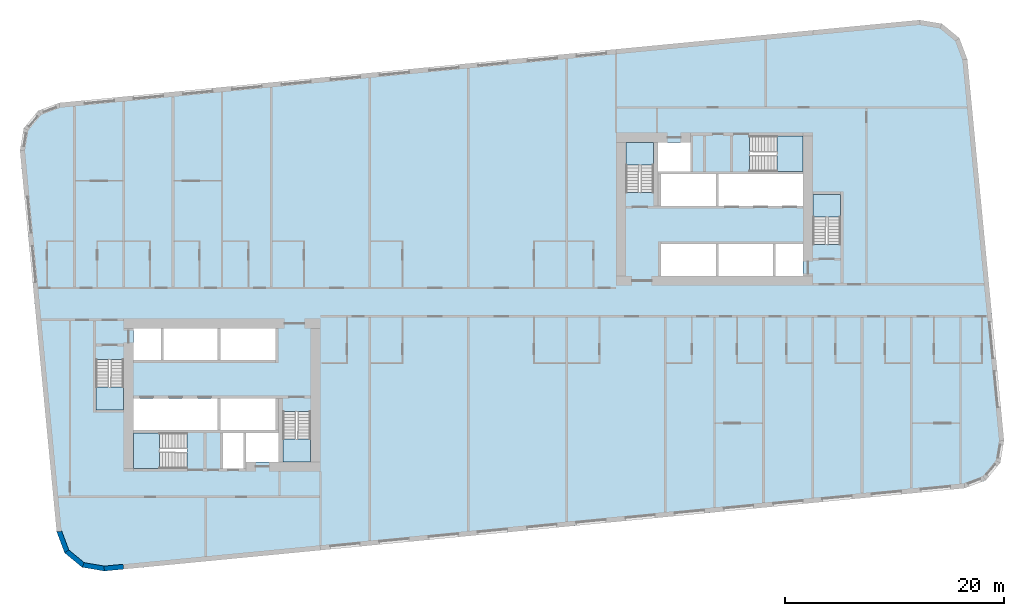
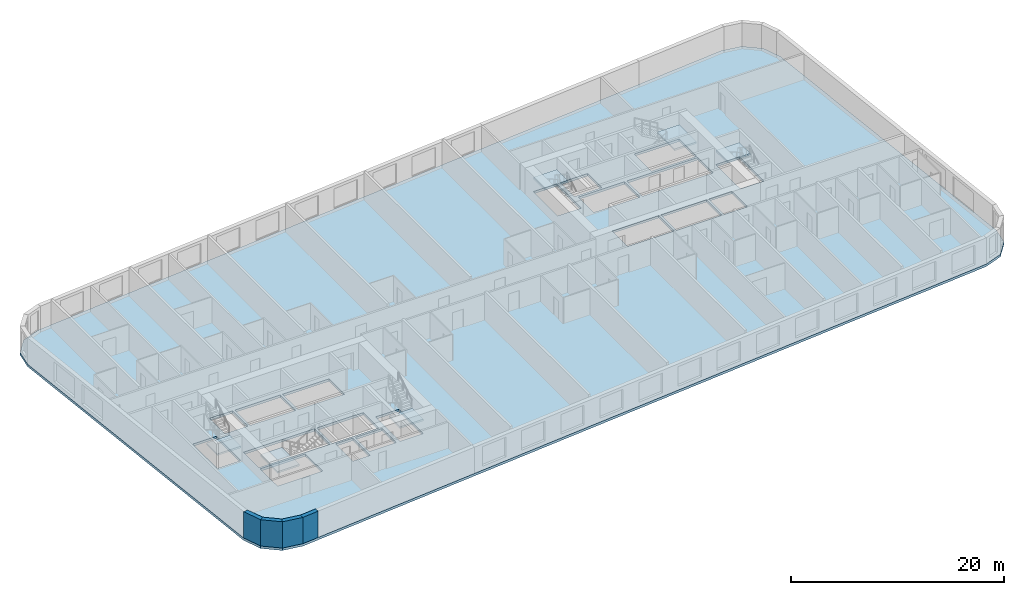
# One storey, part 1 of 12: 7 slabs, 4 walls, 6 elements without a shape of their own.
"""IFC4 building model written with IfcOpenShell, lengths in metres."""

from ifc_helpers import new_model, si_unit, direction, frame, frame_2d, origin, place, context, subcontext, project, spatial, polyline, rectangle, outline, extrude, material, layer, layer_set, type_object, element, aggregate, save


model = new_model("IFC4")

# Units and contexts
model_context = context("Model", 3, precision=1e-05, world=origin(), true_north=direction((0.0, 1.0)))
body_context = subcontext(model_context, "Body", "Model", "MODEL_VIEW")
ifc_project = project(units=[si_unit("LENGTHUNIT", "METRE"), si_unit("AREAUNIT", "SQUARE_METRE"), si_unit("VOLUMEUNIT", "CUBIC_METRE"), si_unit("PLANEANGLEUNIT", "RADIAN"), si_unit("MASSUNIT", "GRAM", prefix="KILO")], contexts=[model_context])

# Site, building, storey
site_placement = place(None, origin())
site = spatial("IfcSite", under=ifc_project, at=site_placement, CompositionType="ELEMENT")
building_placement = place(site_placement, origin())
building = spatial("IfcBuilding", under=site, at=building_placement, Name="Kajstack Hotel Tower", CompositionType="ELEMENT")
storey_placement = place(building_placement, frame((0.0, 0.0, 124.0)))
storey = spatial("IfcBuildingStorey", under=building, at=storey_placement, Name="L27", CompositionType="ELEMENT", Elevation=124.0)

# Slab
ifc_material_1 = material(Name="Concrete C40/50", Category="concrete")
ifc_layer_1 = layer(ifc_material_1, 0.280029296875)
ifc_layer_set_1 = layer_set([ifc_layer_1], Name="RC slab 280 C40/50 guest")
slab_type_1 = type_object("IfcSlabType", Name="RC slab 280 C40/50 guest", PredefinedType="FLOOR", material=ifc_layer_set_1)
slab_1_placement = place(storey_placement, frame((0.0, 0.0, -0.280029296875)))
element("IfcSlab", 1, at=slab_1_placement, inside=storey, type_object=slab_type_1, Name="S-slab-L27", PredefinedType="FLOOR", context=body_context, shape_type="SweptSolid", body=[
    extrude(outline(polyline([(-40.97705078125, 13.85009765625), (-37.622314453125, -20.98876953125), (-36.897216796875, -22.92822265625), (-35.299560546875, -24.2451171875), (-33.257568359375, -24.5869140625), (45.37890625, -17.01513671875), (47.318359375, -16.2900390625), (48.63525390625, -14.6923828125), (48.97705078125, -12.650146484375), (45.622314453125, 22.188720703125), (44.897216796875, 24.128173828125), (43.299560546875, 25.4453125), (41.257568359375, 25.786865234375), (-37.37890625, 18.215087890625), (-39.318359375, 17.489990234375), (-40.63525390625, 15.892333984375), (-40.97705078125, 13.85009765625)]), holes=[polyline([(-30.60009765625, -11.699951171875), (-30.60009765625, -8.800048828125), (-22.89990234375, -8.800048828125), (-22.89990234375, -11.699951171875), (-30.60009765625, -11.699951171875)]), polyline([(-22.64990234375, -11.699951171875), (-22.64990234375, -8.800048828125), (-17.60009765625, -8.800048828125), (-17.60009765625, -11.699951171875), (-22.64990234375, -11.699951171875)]), polyline([(-27.85009765625, -5.300048828125), (-27.85009765625, -2.39990234375), (-22.89990234375, -2.39990234375), (-22.89990234375, -5.300048828125), (-27.85009765625, -5.300048828125)]), polyline([(-22.64990234375, -5.300048828125), (-22.64990234375, -2.39990234375), (-17.60009765625, -2.39990234375), (-17.60009765625, -5.300048828125), (-22.64990234375, -5.300048828125)]), polyline([(-20.300048828125, -14.60009765625), (-17.35009765625, -14.60009765625), (-17.35009765625, -11.949951171875), (-20.300048828125, -11.949951171875), (-20.300048828125, -14.60009765625)]), polyline([(-30.60009765625, -5.300048828125), (-28.10009765625, -5.300048828125), (-28.10009765625, -2.39990234375), (-30.60009765625, -2.39990234375), (-30.60009765625, -5.300048828125)]), polyline([(22.89990234375, 8.800048828125), (22.89990234375, 11.699951171875), (30.60009765625, 11.699951171875), (30.60009765625, 8.800048828125), (22.89990234375, 8.800048828125)]), polyline([(17.60009765625, 8.800048828125), (17.60009765625, 11.699951171875), (22.64990234375, 11.699951171875), (22.64990234375, 8.800048828125), (17.60009765625, 8.800048828125)]), polyline([(22.89990234375, 2.39990234375), (22.89990234375, 5.300048828125), (27.85009765625, 5.300048828125), (27.85009765625, 2.39990234375), (22.89990234375, 2.39990234375)]), polyline([(17.60009765625, 2.39990234375), (17.60009765625, 5.300048828125), (22.64990234375, 5.300048828125), (22.64990234375, 2.39990234375), (17.60009765625, 2.39990234375)]), polyline([(20.300048828125, 14.60009765625), (17.35009765625, 14.60009765625), (17.35009765625, 11.949951171875), (20.300048828125, 11.949951171875), (20.300048828125, 14.60009765625)]), polyline([(30.60009765625, 5.300048828125), (28.10009765625, 5.300048828125), (28.10009765625, 2.39990234375), (30.60009765625, 2.39990234375), (30.60009765625, 5.300048828125)]), polyline([(-34.050048828125, -9.85009765625), (-31.5, -9.85009765625), (-31.5, -5.25), (-34.050048828125, -5.25), (-34.050048828125, -9.85009765625)]), polyline([(-16.949951171875, -14.60009765625), (-14.39990234375, -14.60009765625), (-14.39990234375, -10.0), (-16.949951171875, -10.0), (-16.949951171875, -14.60009765625)]), polyline([(-30.60009765625, -15.199951171875), (-25.699951171875, -15.199951171875), (-25.699951171875, -11.949951171875), (-30.60009765625, -11.949951171875), (-30.60009765625, -15.199951171875)]), polyline([(34.050048828125, 9.85009765625), (31.5, 9.85009765625), (31.5, 5.25), (34.050048828125, 5.25), (34.050048828125, 9.85009765625)]), polyline([(16.949951171875, 14.60009765625), (14.39990234375, 14.60009765625), (14.39990234375, 10.0), (16.949951171875, 10.0), (16.949951171875, 14.60009765625)]), polyline([(30.60009765625, 15.199951171875), (25.699951171875, 15.199951171875), (25.699951171875, 11.949951171875), (30.60009765625, 11.949951171875), (30.60009765625, 15.199951171875)]), polyline([(-22.425048828125, -15.199951171875), (-22.425048828125, -11.949951171875), (-20.550048828125, -11.949951171875), (-20.550048828125, -15.199951171875), (-22.425048828125, -15.199951171875)])]), origin(), (0.0, 0.0, 1.0), 0.280029296875),
])

# Stair, slab
stair_type_1 = type_object("IfcStairType", Name="Exit stair 1200", PredefinedType="HALF_TURN_STAIR", material=ifc_material_1)
stair_1_placement = place(storey_placement, origin())
stair_1 = element("IfcStair", 2, at=stair_1_placement, inside=storey, type_object=stair_type_1, Name="L27 stair W1", PredefinedType="HALF_TURN_STAIR")
ifc_layer_2 = layer(ifc_material_1, 0.199951171875)
ifc_layer_set_2 = layer_set([ifc_layer_2], Name="Stair landing 200")
slab_type_2 = type_object("IfcSlabType", Name="Stair landing 200", PredefinedType="LANDING", material=ifc_layer_set_2)
slab_2_placement = place(storey_placement, frame((0.0, 0.0, 1.449951171875)))
slab_2 = element("IfcSlab", 3, at=slab_2_placement, type_object=slab_type_2, Name="W1 landing 1", PredefinedType="LANDING", context=body_context, shape_type="SweptSolid", body=[
    extrude(outline(polyline([(-34.050048828125, -7.77001953125), (-34.050048828125, -9.85009765625), (-31.5, -9.85009765625), (-31.5, -7.77001953125), (-34.050048828125, -7.77001953125)])), origin(), (0.0, 0.0, 1.0), 0.199951171875),
])
aggregate(stair_1, [slab_2])

stair_2_placement = place(storey_placement, origin())
stair_2 = element("IfcStair", 4, at=stair_2_placement, inside=storey, type_object=stair_type_1, Name="L27 stair W2", PredefinedType="HALF_TURN_STAIR")
slab_3_placement = place(storey_placement, frame((0.0, 0.0, 1.449951171875)))
slab_3 = element("IfcSlab", 5, at=slab_3_placement, type_object=slab_type_2, Name="W2 landing 1", PredefinedType="LANDING", context=body_context, shape_type="SweptSolid", body=[
    extrude(outline(polyline([(-16.949951171875, -12.52001953125), (-16.949951171875, -14.60009765625), (-14.39990234375, -14.60009765625), (-14.39990234375, -12.52001953125), (-16.949951171875, -12.52001953125)])), origin(), (0.0, 0.0, 1.0), 0.199951171875),
])
aggregate(stair_2, [slab_3])

stair_type_2 = type_object("IfcStairType", Name="Exit stair 1500", PredefinedType="HALF_TURN_STAIR", material=ifc_material_1)
stair_3_placement = place(storey_placement, origin())
stair_3 = element("IfcStair", 6, at=stair_3_placement, inside=storey, type_object=stair_type_2, Name="L27 stair W3", PredefinedType="HALF_TURN_STAIR")
slab_4_placement = place(storey_placement, frame((0.0, 0.0, 1.449951171875)))
slab_4 = element("IfcSlab", 7, at=slab_4_placement, type_object=slab_type_2, Name="W3 landing 1", PredefinedType="LANDING", context=body_context, shape_type="SweptSolid", body=[
    extrude(outline(polyline([(-28.219970703125, -11.949951171875), (-30.60009765625, -11.949951171875), (-30.60009765625, -15.199951171875), (-28.219970703125, -15.199951171875), (-28.219970703125, -11.949951171875)])), origin(), (0.0, 0.0, 1.0), 0.199951171875),
])
aggregate(stair_3, [slab_4])

stair_4_placement = place(storey_placement, origin())
stair_4 = element("IfcStair", 8, at=stair_4_placement, inside=storey, type_object=stair_type_1, Name="L27 stair E1", PredefinedType="HALF_TURN_STAIR")
slab_5_placement = place(storey_placement, frame((0.0, 0.0, 1.449951171875)))
slab_5 = element("IfcSlab", 9, at=slab_5_placement, type_object=slab_type_2, Name="E1 landing 1", PredefinedType="LANDING", context=body_context, shape_type="SweptSolid", body=[
    extrude(outline(polyline([(34.050048828125, 7.77001953125), (34.050048828125, 9.85009765625), (31.5, 9.85009765625), (31.5, 7.77001953125), (34.050048828125, 7.77001953125)])), origin(), (0.0, 0.0, 1.0), 0.199951171875),
])
aggregate(stair_4, [slab_5])

stair_5_placement = place(storey_placement, origin())
stair_5 = element("IfcStair", 10, at=stair_5_placement, inside=storey, type_object=stair_type_1, Name="L27 stair E2", PredefinedType="HALF_TURN_STAIR")
slab_6_placement = place(storey_placement, frame((0.0, 0.0, 1.449951171875)))
slab_6 = element("IfcSlab", 11, at=slab_6_placement, type_object=slab_type_2, Name="E2 landing 1", PredefinedType="LANDING", context=body_context, shape_type="SweptSolid", body=[
    extrude(outline(polyline([(16.949951171875, 12.52001953125), (16.949951171875, 14.60009765625), (14.39990234375, 14.60009765625), (14.39990234375, 12.52001953125), (16.949951171875, 12.52001953125)])), origin(), (0.0, 0.0, 1.0), 0.199951171875),
])
aggregate(stair_5, [slab_6])

stair_6_placement = place(storey_placement, origin())
stair_6 = element("IfcStair", 12, at=stair_6_placement, inside=storey, type_object=stair_type_2, Name="L27 stair E3", PredefinedType="HALF_TURN_STAIR")
slab_7_placement = place(storey_placement, frame((0.0, 0.0, 1.449951171875)))
slab_7 = element("IfcSlab", 13, at=slab_7_placement, type_object=slab_type_2, Name="E3 landing 1", PredefinedType="LANDING", context=body_context, shape_type="SweptSolid", body=[
    extrude(outline(polyline([(28.219970703125, 11.949951171875), (30.60009765625, 11.949951171875), (30.60009765625, 15.199951171875), (28.219970703125, 15.199951171875), (28.219970703125, 11.949951171875)])), origin(), (0.0, 0.0, 1.0), 0.199951171875),
])
aggregate(stair_6, [slab_7])

# Walls
ifc_material_2 = material(Name="Terracotta-faced brick masonry", Category="masonry")
ifc_layer_3 = layer(ifc_material_2, 0.449951171875)
ifc_layer_set_3 = layer_set([ifc_layer_3], Name="EW-TERRA")
wall_type = type_object("IfcWallType", Name="EW-TERRA", PredefinedType="SOLIDWALL", material=ifc_layer_set_3)
for number, where, z_axis, x_axis, name in (
    (14, (-37.41162109375, -20.909912109375, 0.0), (0.0, 0.0, 1.0), (0.350192909346, -0.936677599948, 0.0), "E-wall-L27-01-00"),
    (15, (-36.754150390625, -22.754638671875, 0.0), (0.0, 0.0, 1.0), (0.771651049663, -0.636046112757, 0.0), "E-wall-L27-02-00"),
):
    element("IfcWall", number, at=place(storey_placement, frame(where, z_axis=z_axis, x_axis=x_axis)), inside=storey, type_object=wall_type, Name=name, PredefinedType="SOLIDWALL", context=body_context, shape_type="SweptSolid", body=[
        extrude(outline(polyline([(0.0, -0.22509765625), (2.070556640625, -0.22509765625), (1.949951171875, 0.224853515625), (0.12060546875, 0.22509765625), (0.0, -0.22509765625)])), origin(), (0.0, 0.0, 1.0), 3.02001953125),
    ])
wall_1_placement = place(storey_placement, frame((-35.262451171875, -24.023193359375, 0.0), z_axis=(0.0, 0.0, 1.0), x_axis=(0.986278951104, -0.165087342366, 0.0)))
element("IfcWall", 16, at=wall_1_placement, inside=storey, type_object=wall_type, Name="E-wall-L27-03-00", PredefinedType="SOLIDWALL", context=body_context, shape_type="SweptSolid", body=[
    extrude(outline(polyline([(0.0, -0.22509765625), (2.070556640625, -0.22509765625), (1.949951171875, 0.22509765625), (0.12060546875, 0.224853515625), (0.0, -0.22509765625)])), origin(), (0.0, 0.0, 1.0), 3.02001953125),
])
wall_2_placement = place(storey_placement, frame((-33.279052734375, -24.363037109375, 0.0), z_axis=(0.0, 0.0, 1.0), x_axis=(0.995385439311, 0.095957423931, 0.0)))
element("IfcWall", 17, at=wall_2_placement, inside=storey, type_object=wall_type, Name="E-wall-L27-04-00", PredefinedType="SOLIDWALL", context=body_context, shape_type="SweptSolid", body=[
    extrude(rectangle(XDim=1.765625, YDim=0.449951171875, at=frame_2d((0.8828125, 0.0))), origin(), (0.0, 0.0, 1.0), 3.02001953125),
])

save(model, "model.ifc")
